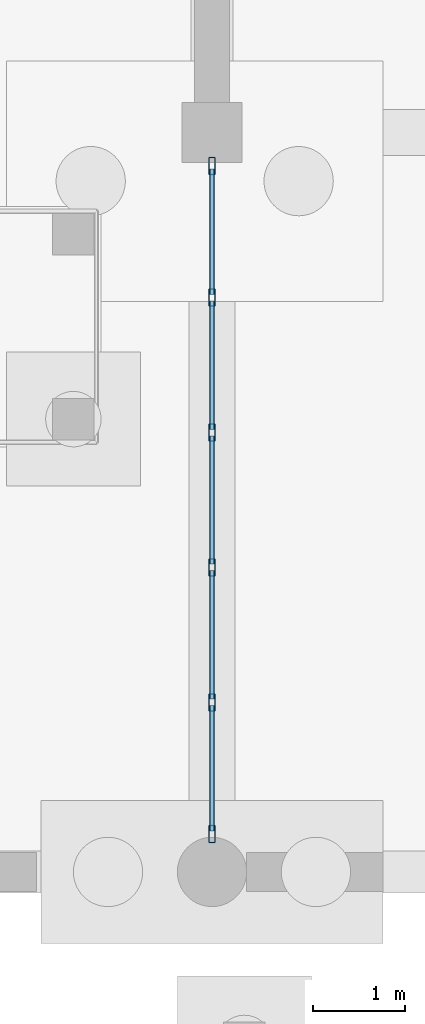
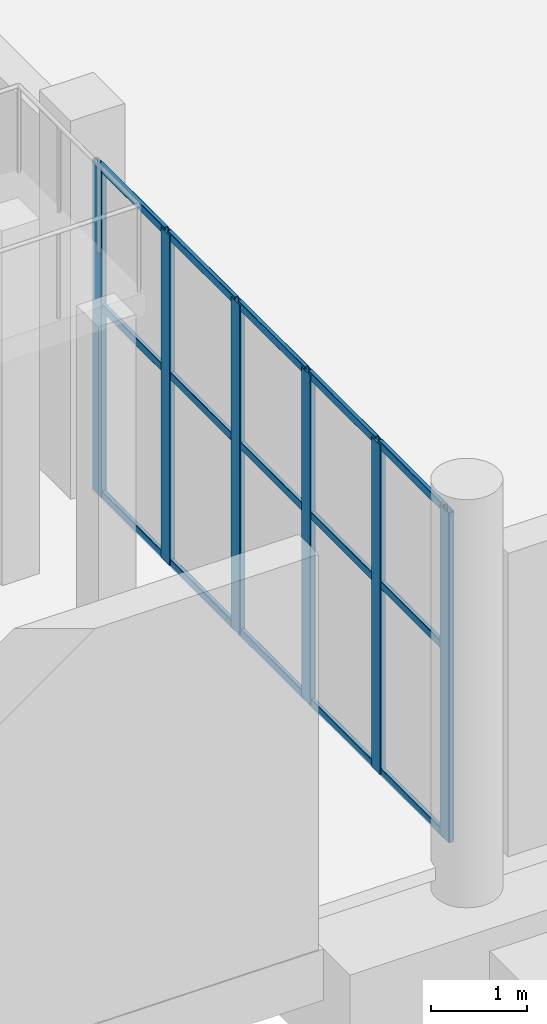
# One storey, part 20 of 52: 21 members, 1 element without a shape of its own.
"""IFC4 building model written with IfcOpenShell, lengths in metres."""

from ifc_helpers import new_model, si_unit, direction, frame, origin, origin_2d, place, context, subcontext, project, spatial, hollow_rectangle, extrude, material, material_profile, profile_set, type_object, element, aggregate, save


model = new_model("IFC4")

# Units and contexts
model_context = context("Model", 3, precision=1e-05, world=origin(), true_north=direction((0.0, 1.0)))
body_context = subcontext(model_context, "Body", "Model", "MODEL_VIEW")
ifc_project = project(units=[si_unit("LENGTHUNIT", "METRE"), si_unit("AREAUNIT", "SQUARE_METRE"), si_unit("VOLUMEUNIT", "CUBIC_METRE"), si_unit("PLANEANGLEUNIT", "RADIAN"), si_unit("MASSUNIT", "GRAM", prefix="KILO")], contexts=[model_context])

# Site, building, storey
site_placement = place(None, origin())
site = spatial("IfcSite", under=ifc_project, at=site_placement, CompositionType="ELEMENT")
building_placement = place(site_placement, origin())
building = spatial("IfcBuilding", under=site, at=building_placement, Name="Luwemba Playhouse", CompositionType="ELEMENT")
storey_placement = place(building_placement, frame((0.0, 0.0, -4.800048828125)))
storey = spatial("IfcBuildingStorey", under=building, at=storey_placement, Name="B1", CompositionType="ELEMENT", Elevation=-4.800048828125)

# Curtain wall, members
ifc_material_1 = material(Name="Solar-control double glazing", Category="glass")
curtain_wall_type = type_object("IfcCurtainWallType", Name="CW-CW03", PredefinedType="USERDEFINED", material=ifc_material_1)
curtain_wall_placement = place(storey_placement, origin())
curtain_wall = element("IfcCurtainWall", 1, at=curtain_wall_placement, inside=storey, type_object=curtain_wall_type, Name="B1 Sunken Forecourt curtain wall 003", ObjectType="UNITISED GLAZING", PredefinedType="USERDEFINED")
ifc_material_2 = material(Name="Aluminium 6063-T6", Category="aluminium")
ifc_material_profile_1 = material_profile(ifc_material_2, hollow_rectangle(XDim=0.070068359375, YDim=0.18994140625, WallThickness=0.0048828125, InnerFilletRadius=0.007568359375, OuterFilletRadius=0.012451171875, at=origin_2d()))
ifc_profile_set_1 = profile_set([ifc_material_profile_1], Name="Aluminium 6063-T6")
member_type_1 = type_object("IfcMemberType", Name="CWM-M4", PredefinedType="MULLION", material=ifc_profile_set_1)
member_1_placement = place(storey_placement, frame((116.0, 3.409912109375, 0.0), z_axis=(0.0, 0.0, 1.0), x_axis=(-1.0, 0.0, 0.0)))
member_1 = element("IfcMember", 2, at=member_1_placement, type_object=member_type_1, Name="CW03 mullion 1", PredefinedType="MULLION", context=body_context, shape_type="SweptSolid", body=[
    extrude(hollow_rectangle(XDim=0.070068359375, YDim=0.18994140625, WallThickness=0.0048828125, InnerFilletRadius=0.007568359375, OuterFilletRadius=0.012451171875, at=origin_2d()), origin(), (0.0, 0.0, 1.0), 4.18505859375),
])
member_2_placement = place(storey_placement, frame((116.0, 4.8349609375, 0.0), z_axis=(0.0, 0.0, 1.0), x_axis=(-1.0, 0.0, 0.0)))
member_2 = element("IfcMember", 3, at=member_2_placement, type_object=member_type_1, Name="CW03 mullion 2", PredefinedType="MULLION", context=body_context, shape_type="SweptSolid", body=[
    extrude(hollow_rectangle(XDim=0.070068359375, YDim=0.18994140625, WallThickness=0.0048828125, InnerFilletRadius=0.007568359375, OuterFilletRadius=0.012451171875, at=origin_2d()), origin(), (0.0, 0.0, 1.0), 4.18505859375),
])
member_3_placement = place(storey_placement, frame((116.0, 6.294921875, 0.0), z_axis=(0.0, 0.0, 1.0), x_axis=(-1.0, 0.0, 0.0)))
member_3 = element("IfcMember", 4, at=member_3_placement, type_object=member_type_1, Name="CW03 mullion 3", PredefinedType="MULLION", context=body_context, shape_type="SweptSolid", body=[
    extrude(hollow_rectangle(XDim=0.070068359375, YDim=0.18994140625, WallThickness=0.0048828125, InnerFilletRadius=0.007568359375, OuterFilletRadius=0.012451171875, at=origin_2d()), origin(), (0.0, 0.0, 1.0), 4.18505859375),
])
member_4_placement = place(storey_placement, frame((116.0, 7.7548828125, 0.0), z_axis=(0.0, 0.0, 1.0), x_axis=(-1.0, 0.0, 0.0)))
member_4 = element("IfcMember", 5, at=member_4_placement, type_object=member_type_1, Name="CW03 mullion 4", PredefinedType="MULLION", context=body_context, shape_type="SweptSolid", body=[
    extrude(hollow_rectangle(XDim=0.070068359375, YDim=0.18994140625, WallThickness=0.0048828125, InnerFilletRadius=0.007568359375, OuterFilletRadius=0.012451171875, at=origin_2d()), origin(), (0.0, 0.0, 1.0), 4.18505859375),
])
member_5_placement = place(storey_placement, frame((116.0, 9.215087890625, 0.0), z_axis=(0.0, 0.0, 1.0), x_axis=(-1.0, 0.0, 0.0)))
member_5 = element("IfcMember", 6, at=member_5_placement, type_object=member_type_1, Name="CW03 mullion 5", PredefinedType="MULLION", context=body_context, shape_type="SweptSolid", body=[
    extrude(hollow_rectangle(XDim=0.070068359375, YDim=0.18994140625, WallThickness=0.0048828125, InnerFilletRadius=0.007568359375, OuterFilletRadius=0.012451171875, at=origin_2d()), origin(), (0.0, 0.0, 1.0), 4.18505859375),
])
member_6_placement = place(storey_placement, frame((116.0, 10.639892578125, 0.0), z_axis=(0.0, 0.0, 1.0), x_axis=(-1.0, 0.0, 0.0)))
member_6 = element("IfcMember", 7, at=member_6_placement, type_object=member_type_1, Name="CW03 mullion 6", PredefinedType="MULLION", context=body_context, shape_type="SweptSolid", body=[
    extrude(hollow_rectangle(XDim=0.070068359375, YDim=0.18994140625, WallThickness=0.0048828125, InnerFilletRadius=0.007568359375, OuterFilletRadius=0.012451171875, at=origin_2d()), origin(), (0.0, 0.0, 1.0), 4.18505859375),
])
ifc_material_profile_2 = material_profile(ifc_material_2, hollow_rectangle(XDim=0.050048828125, YDim=0.10009765625, WallThickness=0.00341796875, InnerFilletRadius=0.00537109375, OuterFilletRadius=0.0087890625, at=origin_2d()))
ifc_profile_set_2 = profile_set([ifc_material_profile_2], Name="Aluminium 6063-T6")
member_type_2 = type_object("IfcMemberType", Name="CWT-T4", PredefinedType="USERDEFINED", material=ifc_profile_set_2)
member_7_placement = place(storey_placement, frame((116.0, 3.445068359375, 0.025146484375), z_axis=(0.0, 1.0, 0.0), x_axis=(-1.0, 0.0, 0.0)))
member_7 = element("IfcMember", 8, at=member_7_placement, type_object=member_type_2, Name="CW03 transom 1.1", ObjectType="TRANSOM", PredefinedType="USERDEFINED", context=body_context, shape_type="SweptSolid", body=[
    extrude(hollow_rectangle(XDim=0.050048828125, YDim=0.10009765625, WallThickness=0.00341796875, InnerFilletRadius=0.00537109375, OuterFilletRadius=0.0087890625, at=origin_2d()), origin(), (0.0, 0.0, 1.0), 1.35498046875),
])
member_8_placement = place(storey_placement, frame((116.0, 3.445068359375, 2.400146484375), z_axis=(0.0, 1.0, 0.0), x_axis=(-1.0, 0.0, 0.0)))
member_8 = element("IfcMember", 9, at=member_8_placement, type_object=member_type_2, Name="CW03 transom 1.2", ObjectType="TRANSOM", PredefinedType="USERDEFINED", context=body_context, shape_type="SweptSolid", body=[
    extrude(hollow_rectangle(XDim=0.050048828125, YDim=0.10009765625, WallThickness=0.00341796875, InnerFilletRadius=0.00537109375, OuterFilletRadius=0.0087890625, at=origin_2d()), origin(), (0.0, 0.0, 1.0), 1.35498046875),
])
member_9_placement = place(storey_placement, frame((116.0, 3.445068359375, 4.16015625), z_axis=(0.0, 1.0, 0.0), x_axis=(-1.0, 0.0, 0.0)))
member_9 = element("IfcMember", 10, at=member_9_placement, type_object=member_type_2, Name="CW03 transom 1.3", ObjectType="TRANSOM", PredefinedType="USERDEFINED", context=body_context, shape_type="SweptSolid", body=[
    extrude(hollow_rectangle(XDim=0.050048828125, YDim=0.10009765625, WallThickness=0.00341796875, InnerFilletRadius=0.00537109375, OuterFilletRadius=0.0087890625, at=origin_2d()), origin(), (0.0, 0.0, 1.0), 1.35498046875),
])
member_10_placement = place(storey_placement, frame((116.0, 4.8701171875, 0.025146484375), z_axis=(0.0, 1.0, 0.0), x_axis=(-1.0, 0.0, 0.0)))
member_10 = element("IfcMember", 11, at=member_10_placement, type_object=member_type_2, Name="CW03 transom 2.1", ObjectType="TRANSOM", PredefinedType="USERDEFINED", context=body_context, shape_type="SweptSolid", body=[
    extrude(hollow_rectangle(XDim=0.050048828125, YDim=0.10009765625, WallThickness=0.00341796875, InnerFilletRadius=0.00537109375, OuterFilletRadius=0.0087890625, at=origin_2d()), origin(), (0.0, 0.0, 1.0), 1.389892578125),
])
member_11_placement = place(storey_placement, frame((116.0, 4.8701171875, 2.400146484375), z_axis=(0.0, 1.0, 0.0), x_axis=(-1.0, 0.0, 0.0)))
member_11 = element("IfcMember", 12, at=member_11_placement, type_object=member_type_2, Name="CW03 transom 2.2", ObjectType="TRANSOM", PredefinedType="USERDEFINED", context=body_context, shape_type="SweptSolid", body=[
    extrude(hollow_rectangle(XDim=0.050048828125, YDim=0.10009765625, WallThickness=0.00341796875, InnerFilletRadius=0.00537109375, OuterFilletRadius=0.0087890625, at=origin_2d()), origin(), (0.0, 0.0, 1.0), 1.389892578125),
])
member_12_placement = place(storey_placement, frame((116.0, 4.8701171875, 4.16015625), z_axis=(0.0, 1.0, 0.0), x_axis=(-1.0, 0.0, 0.0)))
member_12 = element("IfcMember", 13, at=member_12_placement, type_object=member_type_2, Name="CW03 transom 2.3", ObjectType="TRANSOM", PredefinedType="USERDEFINED", context=body_context, shape_type="SweptSolid", body=[
    extrude(hollow_rectangle(XDim=0.050048828125, YDim=0.10009765625, WallThickness=0.00341796875, InnerFilletRadius=0.00537109375, OuterFilletRadius=0.0087890625, at=origin_2d()), origin(), (0.0, 0.0, 1.0), 1.389892578125),
])
member_13_placement = place(storey_placement, frame((116.0, 6.330078125, 0.025146484375), z_axis=(0.0, 1.0, 0.0), x_axis=(-1.0, 0.0, 0.0)))
member_13 = element("IfcMember", 14, at=member_13_placement, type_object=member_type_2, Name="CW03 transom 3.1", ObjectType="TRANSOM", PredefinedType="USERDEFINED", context=body_context, shape_type="SweptSolid", body=[
    extrude(hollow_rectangle(XDim=0.050048828125, YDim=0.10009765625, WallThickness=0.00341796875, InnerFilletRadius=0.00537109375, OuterFilletRadius=0.0087890625, at=origin_2d()), origin(), (0.0, 0.0, 1.0), 1.389892578125),
])
member_14_placement = place(storey_placement, frame((116.0, 6.330078125, 2.400146484375), z_axis=(0.0, 1.0, 0.0), x_axis=(-1.0, 0.0, 0.0)))
member_14 = element("IfcMember", 15, at=member_14_placement, type_object=member_type_2, Name="CW03 transom 3.2", ObjectType="TRANSOM", PredefinedType="USERDEFINED", context=body_context, shape_type="SweptSolid", body=[
    extrude(hollow_rectangle(XDim=0.050048828125, YDim=0.10009765625, WallThickness=0.00341796875, InnerFilletRadius=0.00537109375, OuterFilletRadius=0.0087890625, at=origin_2d()), origin(), (0.0, 0.0, 1.0), 1.389892578125),
])
member_15_placement = place(storey_placement, frame((116.0, 6.330078125, 4.16015625), z_axis=(0.0, 1.0, 0.0), x_axis=(-1.0, 0.0, 0.0)))
member_15 = element("IfcMember", 16, at=member_15_placement, type_object=member_type_2, Name="CW03 transom 3.3", ObjectType="TRANSOM", PredefinedType="USERDEFINED", context=body_context, shape_type="SweptSolid", body=[
    extrude(hollow_rectangle(XDim=0.050048828125, YDim=0.10009765625, WallThickness=0.00341796875, InnerFilletRadius=0.00537109375, OuterFilletRadius=0.0087890625, at=origin_2d()), origin(), (0.0, 0.0, 1.0), 1.389892578125),
])
member_16_placement = place(storey_placement, frame((116.0, 7.7900390625, 0.025146484375), z_axis=(0.0, 1.0, 0.0), x_axis=(-1.0, 0.0, 0.0)))
member_16 = element("IfcMember", 17, at=member_16_placement, type_object=member_type_2, Name="CW03 transom 4.1", ObjectType="TRANSOM", PredefinedType="USERDEFINED", context=body_context, shape_type="SweptSolid", body=[
    extrude(hollow_rectangle(XDim=0.050048828125, YDim=0.10009765625, WallThickness=0.00341796875, InnerFilletRadius=0.00537109375, OuterFilletRadius=0.0087890625, at=origin_2d()), origin(), (0.0, 0.0, 1.0), 1.389892578125),
])
member_17_placement = place(storey_placement, frame((116.0, 7.7900390625, 2.400146484375), z_axis=(0.0, 1.0, 0.0), x_axis=(-1.0, 0.0, 0.0)))
member_17 = element("IfcMember", 18, at=member_17_placement, type_object=member_type_2, Name="CW03 transom 4.2", ObjectType="TRANSOM", PredefinedType="USERDEFINED", context=body_context, shape_type="SweptSolid", body=[
    extrude(hollow_rectangle(XDim=0.050048828125, YDim=0.10009765625, WallThickness=0.00341796875, InnerFilletRadius=0.00537109375, OuterFilletRadius=0.0087890625, at=origin_2d()), origin(), (0.0, 0.0, 1.0), 1.389892578125),
])
member_18_placement = place(storey_placement, frame((116.0, 7.7900390625, 4.16015625), z_axis=(0.0, 1.0, 0.0), x_axis=(-1.0, 0.0, 0.0)))
member_18 = element("IfcMember", 19, at=member_18_placement, type_object=member_type_2, Name="CW03 transom 4.3", ObjectType="TRANSOM", PredefinedType="USERDEFINED", context=body_context, shape_type="SweptSolid", body=[
    extrude(hollow_rectangle(XDim=0.050048828125, YDim=0.10009765625, WallThickness=0.00341796875, InnerFilletRadius=0.00537109375, OuterFilletRadius=0.0087890625, at=origin_2d()), origin(), (0.0, 0.0, 1.0), 1.389892578125),
])
member_19_placement = place(storey_placement, frame((116.0, 9.25, 0.025146484375), z_axis=(0.0, 1.0, 0.0), x_axis=(-1.0, 0.0, 0.0)))
member_19 = element("IfcMember", 20, at=member_19_placement, type_object=member_type_2, Name="CW03 transom 5.1", ObjectType="TRANSOM", PredefinedType="USERDEFINED", context=body_context, shape_type="SweptSolid", body=[
    extrude(hollow_rectangle(XDim=0.050048828125, YDim=0.10009765625, WallThickness=0.00341796875, InnerFilletRadius=0.00537109375, OuterFilletRadius=0.0087890625, at=origin_2d()), origin(), (0.0, 0.0, 1.0), 1.35498046875),
])
member_20_placement = place(storey_placement, frame((116.0, 9.25, 2.400146484375), z_axis=(0.0, 1.0, 0.0), x_axis=(-1.0, 0.0, 0.0)))
member_20 = element("IfcMember", 21, at=member_20_placement, type_object=member_type_2, Name="CW03 transom 5.2", ObjectType="TRANSOM", PredefinedType="USERDEFINED", context=body_context, shape_type="SweptSolid", body=[
    extrude(hollow_rectangle(XDim=0.050048828125, YDim=0.10009765625, WallThickness=0.00341796875, InnerFilletRadius=0.00537109375, OuterFilletRadius=0.0087890625, at=origin_2d()), origin(), (0.0, 0.0, 1.0), 1.35498046875),
])
member_21_placement = place(storey_placement, frame((116.0, 9.25, 4.16015625), z_axis=(0.0, 1.0, 0.0), x_axis=(-1.0, 0.0, 0.0)))
member_21 = element("IfcMember", 22, at=member_21_placement, type_object=member_type_2, Name="CW03 transom 5.3", ObjectType="TRANSOM", PredefinedType="USERDEFINED", context=body_context, shape_type="SweptSolid", body=[
    extrude(hollow_rectangle(XDim=0.050048828125, YDim=0.10009765625, WallThickness=0.00341796875, InnerFilletRadius=0.00537109375, OuterFilletRadius=0.0087890625, at=origin_2d()), origin(), (0.0, 0.0, 1.0), 1.35498046875),
])
aggregate(curtain_wall, [member_1, member_2, member_3, member_4, member_5, member_6, member_7, member_8, member_9, member_10, member_11, member_12, member_13, member_14, member_15, member_16, member_17, member_18, member_19, member_20, member_21])

save(model, "model.ifc")
